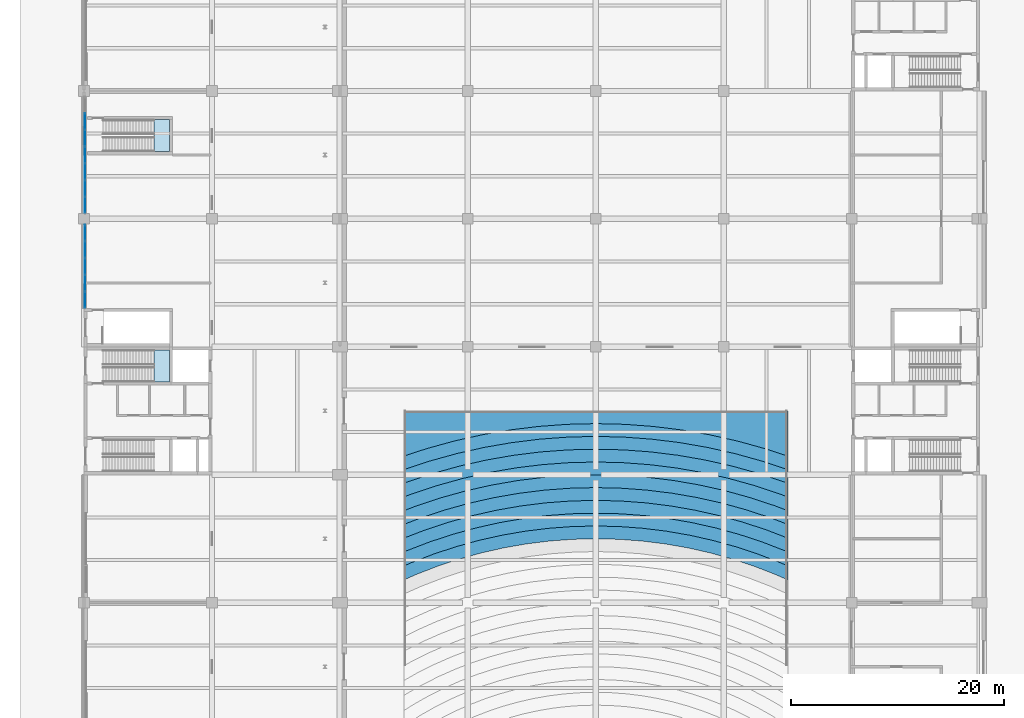
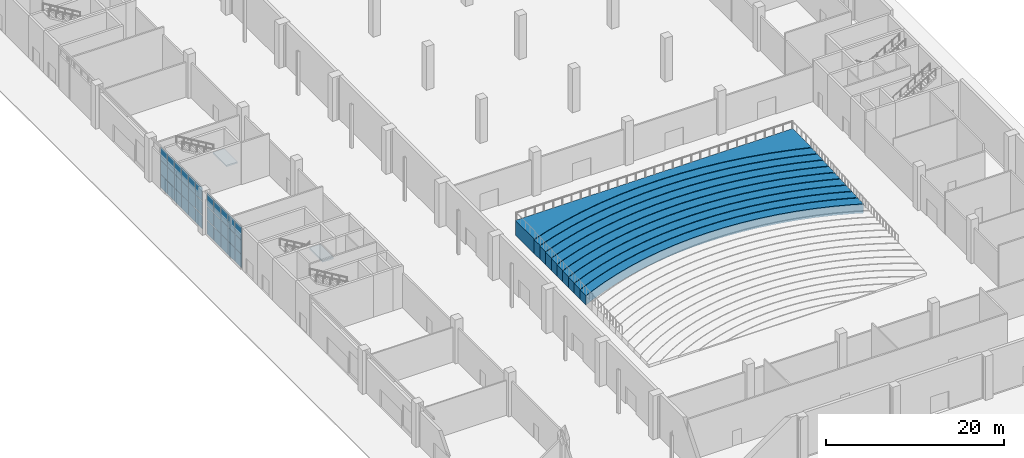
# One storey, part 27 of 59: 33 plates, 12 slabs, 4 elements without a shape of their own.
"""IFC4 building model written with IfcOpenShell, lengths in metres."""

import ifcopenshell
import ifcopenshell.guid

model = None  # the IFC model being written
_history = None  # IfcOwnerHistory: only IFC2X3 demands one
_inside = {}  # id of a spatial element -> (the spatial element, [elements in it])
_under = {}  # id of a project, library or spatial element -> (it, [spatial elements below it])
_declared = {}  # id of a project -> (the project, [libraries it declares])
_typed = {}  # id of a type object -> (the type object, [elements of that type])
_made_of = {}  # id of a material, layer set ... -> (it, [elements and type objects made of it])


def new_model(schema):
    """Start an empty IFC model of exactly this schema.

    Asked for "IFC4X3", IfcOpenShell would pick the latest addendum, in which some entities
    have other attributes; the version numbers below select the first issue.
    IFC2X3 requires an IfcOwnerHistory on every rooted entity: one is made here for all.
    """
    global model, _history
    if schema == "IFC4X3":
        model = ifcopenshell.file(schema_version=(4, 3, 0, 0))
    else:
        model = ifcopenshell.file(schema=schema)
    _inside.clear()
    _under.clear()
    _declared.clear()
    _typed.clear()
    _made_of.clear()
    _history = None
    if model.schema == "IFC2X3":
        org = make("IfcOrganization", Name="unknown")
        user = make(
            "IfcPersonAndOrganization",
            ThePerson=make("IfcPerson", FamilyName="unknown"),
            TheOrganization=org,
        )
        app = make(
            "IfcApplication",
            ApplicationDeveloper=org,
            Version="unknown",
            ApplicationFullName="unknown",
            ApplicationIdentifier="unknown",
        )
        _history = make(
            "IfcOwnerHistory",
            OwningUser=user,
            OwningApplication=app,
            ChangeAction="ADDED",
            CreationDate=0,
        )
    return model


def make(cls, **values):
    """One entity of the class cls with the attributes given. An attribute that is None is left unset."""
    return model.create_entity(
        cls, **{name: value for name, value in values.items() if value is not None}
    )


def rooted(cls, **values):
    """An entity with a GlobalId (a new one), such as an element, a storey or a relation."""
    return make(cls, GlobalId=ifcopenshell.guid.new(), OwnerHistory=_history, **values)


def si_unit(unit_type, name, prefix=None):
    """IfcSIUnit, for example si_unit("LENGTHUNIT", "METRE", prefix="MILLI")."""
    return make("IfcSIUnit", UnitType=unit_type, Prefix=prefix, Name=name)


def assignment(units):
    """IfcUnitAssignment: the units of a project."""
    return None if units is None else make("IfcUnitAssignment", Units=units)


def point(xyz):
    """IfcCartesianPoint."""
    return None if xyz is None else make("IfcCartesianPoint", Coordinates=xyz)


def direction(xyz):
    """IfcDirection."""
    return None if xyz is None else make("IfcDirection", DirectionRatios=xyz)


def frame(location, z_axis=None, x_axis=None):
    """IfcAxis2Placement3D, a coordinate frame: its origin and axes. An axis left out is left unset."""
    return make(
        "IfcAxis2Placement3D",
        Location=point(location),
        Axis=direction(z_axis),
        RefDirection=direction(x_axis),
    )


def frame_2d(location, x_axis=None):
    """IfcAxis2Placement2D, a coordinate frame in the plane: its origin and x axis."""
    return make(
        "IfcAxis2Placement2D", Location=point(location), RefDirection=direction(x_axis)
    )


def origin():
    """The frame at (0, 0, 0) with its axes left unset."""
    return frame((0.0, 0.0, 0.0))


def origin_2d():
    """The frame at (0, 0) in the plane with its x axis left unset."""
    return frame_2d((0.0, 0.0))


def place(relative_to, where):
    """IfcLocalPlacement: puts the frame where relative to a parent placement (None: the world)."""
    return make(
        "IfcLocalPlacement", PlacementRelTo=relative_to, RelativePlacement=where
    )


def context(
    kind, dimensions, precision=None, world=None, true_north=None, identifier=None
):
    """IfcGeometricRepresentationContext, for example the 3D "Model" context."""
    return make(
        "IfcGeometricRepresentationContext",
        ContextIdentifier=identifier,
        ContextType=kind,
        CoordinateSpaceDimension=dimensions,
        Precision=precision,
        WorldCoordinateSystem=world,
        TrueNorth=true_north,
    )


def subcontext(parent, identifier, kind, view, scale=None):
    """IfcGeometricRepresentationSubContext, for example "Body" below "Model"."""
    return make(
        "IfcGeometricRepresentationSubContext",
        ContextIdentifier=identifier,
        ContextType=kind,
        ParentContext=parent,
        TargetScale=scale,
        TargetView=view,
    )


def project(units=None, contexts=None):
    """IfcProject with its units and contexts."""
    return rooted(
        "IfcProject",
        Name="project",
        RepresentationContexts=contexts,
        UnitsInContext=assignment(units),
    )


def spatial(cls, under=None, at=None, **own):
    """A site, building, storey or space (cls), placed at a placement, below another one or the project."""
    s = rooted(cls, ObjectPlacement=at, **own)
    if under is not None:
        _under.setdefault(under.id(), (under, []))[1].append(s)
    return s


def polyline(points):
    """IfcPolyline through the points."""
    return make("IfcPolyline", Points=[point(p) for p in points])


def profile(cls, at=None, kind="AREA", **sizes):
    """A parametric profile (cls). Its sizes go by their IFC names, for example OverallWidth=200.0."""
    return make(cls, ProfileType=kind, Position=at, **sizes)


def rectangle(**sizes):
    """IfcRectangleProfileDef."""
    return profile("IfcRectangleProfileDef", **sizes)


def outline(outer, holes=None, kind="AREA"):
    """IfcArbitraryClosedProfileDef: a profile drawn as a closed curve; with holes, ...WithVoids."""
    if holes is None:
        return make("IfcArbitraryClosedProfileDef", ProfileType=kind, OuterCurve=outer)
    return make(
        "IfcArbitraryProfileDefWithVoids",
        ProfileType=kind,
        OuterCurve=outer,
        InnerCurves=holes,
    )


def extrude(swept, where, along, depth):
    """IfcExtrudedAreaSolid: the profile swept, set in the frame where, extruded along a direction by depth."""
    return make(
        "IfcExtrudedAreaSolid",
        SweptArea=swept,
        Position=where,
        ExtrudedDirection=direction(along),
        Depth=depth,
    )


def shape(context_of_items, identifier, shape_type, items):
    """IfcShapeRepresentation: the items that make up one representation, for example the "Body"."""
    return make(
        "IfcShapeRepresentation",
        ContextOfItems=context_of_items,
        RepresentationIdentifier=identifier,
        RepresentationType=shape_type,
        Items=items,
    )


def material(Name=None, Category=None):
    """IfcMaterial."""
    return make("IfcMaterial", Name=Name, Category=Category)


def layer(
    of_material, thickness, ventilated=None, Name=None, Category=None, Priority=None
):
    """IfcMaterialLayer: one layer of a wall or slab, of a material (None: an air gap)."""
    return make(
        "IfcMaterialLayer",
        Material=of_material,
        LayerThickness=thickness,
        IsVentilated=ventilated,
        Name=Name,
        Category=Category,
        Priority=Priority,
    )


def layer_set(layers, Name=None):
    """IfcMaterialLayerSet."""
    return make("IfcMaterialLayerSet", MaterialLayers=layers, LayerSetName=Name)


def made_of(thing, what):
    """Note that an element or type object is made of a material, layer set ...; save() writes the relation."""
    if what is not None:
        _made_of.setdefault(what.id(), (what, []))[1].append(thing)
    return thing


def type_object(cls, material=None, **own):
    """A type object (cls), such as IfcWallType, which elements share."""
    return made_of(rooted(cls, **own), material)


def element(
    cls,
    number,
    at=None,
    inside=None,
    cuts=None,
    type_object=None,
    material=None,
    context=None,
    identifier="Body",
    shape_type=None,
    held_by="IfcProductDefinitionShape",
    body=None,
    shapes=None,
    **own,
):
    """One element of the class cls, such as IfcWall. Its Tag is "e" and its number.

    at: its placement. inside: the storey or other place that contains it. cuts: it is an
    opening in that element (IfcRelVoidsElement). A single representation is given by context,
    identifier, shape_type and body (its items); several are given by shapes. held_by: the class
    of the entity that holds the representations. save() writes the other relations.
    """
    e = rooted(cls, Tag="e%d" % number, ObjectPlacement=at, **own)
    if body is not None:
        shapes = [shape(context, identifier, shape_type, body)]
    if shapes is not None:
        e.Representation = make(held_by, Representations=shapes)
    if inside is not None:
        _inside.setdefault(inside.id(), (inside, []))[1].append(e)
    if cuts is not None:
        rooted(
            "IfcRelVoidsElement", RelatingBuildingElement=cuts, RelatedOpeningElement=e
        )
    if type_object is not None:
        _typed.setdefault(type_object.id(), (type_object, []))[1].append(e)
    return made_of(e, material)


def aggregate(whole, parts):
    """IfcRelAggregates: a whole, such as a stair, and the parts it consists of."""
    return rooted("IfcRelAggregates", RelatingObject=whole, RelatedObjects=parts)


def save(model, path):
    """Write the relations noted so far, then the file.

    IfcRelAggregates (storeys below a building ...), IfcRelContainedInSpatialStructure (elements
    in a storey), IfcRelDefinesByType, IfcRelAssociatesMaterial and IfcRelDeclares: one each for
    every whole, place, type object, material and project.
    """
    for whole, parts in _under.values():
        aggregate(whole, parts)
    for where, things in _inside.values():
        rooted(
            "IfcRelContainedInSpatialStructure",
            RelatedElements=things,
            RelatingStructure=where,
        )
    for kind, things in _typed.values():
        rooted("IfcRelDefinesByType", RelatedObjects=things, RelatingType=kind)
    for what, things in _made_of.values():
        rooted("IfcRelAssociatesMaterial", RelatedObjects=things, RelatingMaterial=what)
    for by, libraries in _declared.values():
        rooted("IfcRelDeclares", RelatingContext=by, RelatedDefinitions=libraries)
    model.write(path)


model = new_model("IFC4")

# Units and contexts
model_context = context("Model", 3, precision=1e-05, world=origin(), true_north=direction((0.0, 1.0)))
body_context = subcontext(model_context, "Body", "Model", "MODEL_VIEW")
ifc_project = project(units=[si_unit("LENGTHUNIT", "METRE"), si_unit("AREAUNIT", "SQUARE_METRE"), si_unit("VOLUMEUNIT", "CUBIC_METRE"), si_unit("PLANEANGLEUNIT", "RADIAN"), si_unit("MASSUNIT", "GRAM", prefix="KILO")], contexts=[model_context])

# Site, building, storey
site_placement = place(None, origin())
site = spatial("IfcSite", under=ifc_project, at=site_placement, CompositionType="ELEMENT")
building_placement = place(site_placement, origin())
building = spatial("IfcBuilding", under=site, at=building_placement, Name="Lilac Gate Convention Centre", CompositionType="ELEMENT")
storey_placement = place(building_placement, origin())
storey = spatial("IfcBuildingStorey", under=building, at=storey_placement, Name="L00", CompositionType="ELEMENT", Elevation=0.0)

# Curtain wall, plates
ifc_material_1 = material(Name="Aluminium framed double glazing", Category="aluminium")
ifc_layer_1 = layer(ifc_material_1, 0.199951171875)
ifc_layer_set_1 = layer_set([ifc_layer_1], Name="Aluminium framed double glazing")
curtain_wall_type = type_object("IfcCurtainWallType", Name="Unitised curtain wall 1500", PredefinedType="NOTDEFINED", material=ifc_layer_set_1)
curtain_wall_1_placement = place(storey_placement, origin())
curtain_wall_1 = element("IfcCurtainWall", 1, at=curtain_wall_1_placement, inside=storey, type_object=curtain_wall_type, Name="Curtain wall PW L00 3", PredefinedType="NOTDEFINED")
ifc_material_2 = material(Name="Double glazed unit low emissivity")
ifc_layer_2 = layer(ifc_material_2, 0.028076171875)
ifc_layer_set_2 = layer_set([ifc_layer_2], Name="Double glazed unit low emissivity")
plate_type_1 = type_object("IfcPlateType", Name="Curtain wall glass panel 28", PredefinedType="CURTAIN_PANEL", material=ifc_layer_set_2)
plate_1_placement = place(storey_placement, frame((6.10009765625, 183.142822265625, 1.94677734375), z_axis=(0.0, 0.0, 1.0), x_axis=(0.0, -1.0, 0.0)))
plate_1 = element("IfcPlate", 2, at=plate_1_placement, type_object=plate_type_1, Name="CW panel 2.2", PredefinedType="CURTAIN_PANEL", context=body_context, shape_type="SweptSolid", body=[
    extrude(rectangle(XDim=1.511474609375, YDim=0.028076171875, at=origin_2d()), origin(), (0.0, 0.0, 1.0), 1.856689453125),
])
plate_2_placement = place(storey_placement, frame((6.10009765625, 183.142822265625, 3.86328125), z_axis=(0.0, 0.0, 1.0), x_axis=(0.0, -1.0, 0.0)))
plate_2 = element("IfcPlate", 3, at=plate_2_placement, type_object=plate_type_1, Name="CW panel 2.3", PredefinedType="CURTAIN_PANEL", context=body_context, shape_type="SweptSolid", body=[
    extrude(rectangle(XDim=1.511474609375, YDim=0.028076171875, at=origin_2d()), origin(), (0.0, 0.0, 1.0), 1.82666015625),
])
plate_3_placement = place(storey_placement, frame((6.10009765625, 181.571533203125, 1.94677734375), z_axis=(0.0, 0.0, 1.0), x_axis=(0.0, -1.0, 0.0)))
plate_3 = element("IfcPlate", 4, at=plate_3_placement, type_object=plate_type_1, Name="CW panel 3.2", PredefinedType="CURTAIN_PANEL", context=body_context, shape_type="SweptSolid", body=[
    extrude(rectangle(XDim=1.511474609375, YDim=0.028076171875, at=origin_2d()), origin(), (0.0, 0.0, 1.0), 1.856689453125),
])
plate_4_placement = place(storey_placement, frame((6.10009765625, 181.571533203125, 3.86328125), z_axis=(0.0, 0.0, 1.0), x_axis=(0.0, -1.0, 0.0)))
plate_4 = element("IfcPlate", 5, at=plate_4_placement, type_object=plate_type_1, Name="CW panel 3.3", PredefinedType="CURTAIN_PANEL", context=body_context, shape_type="SweptSolid", body=[
    extrude(rectangle(XDim=1.511474609375, YDim=0.028076171875, at=origin_2d()), origin(), (0.0, 0.0, 1.0), 1.82666015625),
])
plate_5_placement = place(storey_placement, frame((6.10009765625, 180.0, 1.94677734375), z_axis=(0.0, 0.0, 1.0), x_axis=(0.0, -1.0, 0.0)))
plate_5 = element("IfcPlate", 6, at=plate_5_placement, type_object=plate_type_1, Name="CW panel 4.2", PredefinedType="CURTAIN_PANEL", context=body_context, shape_type="SweptSolid", body=[
    extrude(rectangle(XDim=1.511474609375, YDim=0.028076171875, at=origin_2d()), origin(), (0.0, 0.0, 1.0), 1.856689453125),
])
plate_6_placement = place(storey_placement, frame((6.10009765625, 180.0, 3.86328125), z_axis=(0.0, 0.0, 1.0), x_axis=(0.0, -1.0, 0.0)))
plate_6 = element("IfcPlate", 7, at=plate_6_placement, type_object=plate_type_1, Name="CW panel 4.3", PredefinedType="CURTAIN_PANEL", context=body_context, shape_type="SweptSolid", body=[
    extrude(rectangle(XDim=1.511474609375, YDim=0.028076171875, at=origin_2d()), origin(), (0.0, 0.0, 1.0), 1.82666015625),
])
plate_7_placement = place(storey_placement, frame((6.10009765625, 178.428466796875, 1.94677734375), z_axis=(0.0, 0.0, 1.0), x_axis=(0.0, -1.0, 0.0)))
plate_7 = element("IfcPlate", 8, at=plate_7_placement, type_object=plate_type_1, Name="CW panel 5.2", PredefinedType="CURTAIN_PANEL", context=body_context, shape_type="SweptSolid", body=[
    extrude(rectangle(XDim=1.511474609375, YDim=0.028076171875, at=origin_2d()), origin(), (0.0, 0.0, 1.0), 1.856689453125),
])
plate_8_placement = place(storey_placement, frame((6.10009765625, 178.428466796875, 3.86328125), z_axis=(0.0, 0.0, 1.0), x_axis=(0.0, -1.0, 0.0)))
plate_8 = element("IfcPlate", 9, at=plate_8_placement, type_object=plate_type_1, Name="CW panel 5.3", PredefinedType="CURTAIN_PANEL", context=body_context, shape_type="SweptSolid", body=[
    extrude(rectangle(XDim=1.511474609375, YDim=0.028076171875, at=origin_2d()), origin(), (0.0, 0.0, 1.0), 1.82666015625),
])
plate_9_placement = place(storey_placement, frame((6.10009765625, 176.857177734375, 1.94677734375), z_axis=(0.0, 0.0, 1.0), x_axis=(0.0, -1.0, 0.0)))
plate_9 = element("IfcPlate", 10, at=plate_9_placement, type_object=plate_type_1, Name="CW panel 6.2", PredefinedType="CURTAIN_PANEL", context=body_context, shape_type="SweptSolid", body=[
    extrude(rectangle(XDim=1.511474609375, YDim=0.028076171875, at=origin_2d()), origin(), (0.0, 0.0, 1.0), 1.856689453125),
])
plate_10_placement = place(storey_placement, frame((6.10009765625, 176.857177734375, 3.86328125), z_axis=(0.0, 0.0, 1.0), x_axis=(0.0, -1.0, 0.0)))
plate_10 = element("IfcPlate", 11, at=plate_10_placement, type_object=plate_type_1, Name="CW panel 6.3", PredefinedType="CURTAIN_PANEL", context=body_context, shape_type="SweptSolid", body=[
    extrude(rectangle(XDim=1.511474609375, YDim=0.028076171875, at=origin_2d()), origin(), (0.0, 0.0, 1.0), 1.82666015625),
])
plate_11_placement = place(storey_placement, frame((6.10009765625, 175.30078125, 1.94677734375), z_axis=(0.0, 0.0, 1.0), x_axis=(0.0, -1.0, 0.0)))
plate_11 = element("IfcPlate", 12, at=plate_11_placement, type_object=plate_type_1, Name="CW panel 7.2", PredefinedType="CURTAIN_PANEL", context=body_context, shape_type="SweptSolid", body=[
    extrude(rectangle(XDim=1.4814453125, YDim=0.028076171875, at=origin_2d()), origin(), (0.0, 0.0, 1.0), 1.856689453125),
])
plate_12_placement = place(storey_placement, frame((6.10009765625, 175.30078125, 3.86328125), z_axis=(0.0, 0.0, 1.0), x_axis=(0.0, -1.0, 0.0)))
plate_12 = element("IfcPlate", 13, at=plate_12_placement, type_object=plate_type_1, Name="CW panel 7.3", PredefinedType="CURTAIN_PANEL", context=body_context, shape_type="SweptSolid", body=[
    extrude(rectangle(XDim=1.4814453125, YDim=0.028076171875, at=origin_2d()), origin(), (0.0, 0.0, 1.0), 1.82666015625),
])

curtain_wall_2_placement = place(storey_placement, origin())
curtain_wall_2 = element("IfcCurtainWall", 14, at=curtain_wall_2_placement, inside=storey, type_object=curtain_wall_type, Name="Curtain wall PW L00 4", PredefinedType="NOTDEFINED")
plate_13_placement = place(storey_placement, frame((6.10009765625, 172.695068359375, 1.94677734375), z_axis=(0.0, 0.0, 1.0), x_axis=(0.0, -1.0, 0.0)))
plate_13 = element("IfcPlate", 15, at=plate_13_placement, type_object=plate_type_1, Name="CW panel 1.2", PredefinedType="CURTAIN_PANEL", context=body_context, shape_type="SweptSolid", body=[
    extrude(rectangle(XDim=1.489990234375, YDim=0.028076171875, at=origin_2d()), origin(), (0.0, 0.0, 1.0), 1.856689453125),
])
plate_14_placement = place(storey_placement, frame((6.10009765625, 172.695068359375, 3.86328125), z_axis=(0.0, 0.0, 1.0), x_axis=(0.0, -1.0, 0.0)))
plate_14 = element("IfcPlate", 16, at=plate_14_placement, type_object=plate_type_1, Name="CW panel 1.3", PredefinedType="CURTAIN_PANEL", context=body_context, shape_type="SweptSolid", body=[
    extrude(rectangle(XDim=1.489990234375, YDim=0.028076171875, at=origin_2d()), origin(), (0.0, 0.0, 1.0), 1.82666015625),
])
plate_15_placement = place(storey_placement, frame((6.10009765625, 171.130126953125, 1.94677734375), z_axis=(0.0, 0.0, 1.0), x_axis=(0.0, -1.0, 0.0)))
plate_15 = element("IfcPlate", 17, at=plate_15_placement, type_object=plate_type_1, Name="CW panel 2.2", PredefinedType="CURTAIN_PANEL", context=body_context, shape_type="SweptSolid", body=[
    extrude(rectangle(XDim=1.52001953125, YDim=0.028076171875, at=origin_2d()), origin(), (0.0, 0.0, 1.0), 1.856689453125),
])
plate_16_placement = place(storey_placement, frame((6.10009765625, 171.130126953125, 3.86328125), z_axis=(0.0, 0.0, 1.0), x_axis=(0.0, -1.0, 0.0)))
plate_16 = element("IfcPlate", 18, at=plate_16_placement, type_object=plate_type_1, Name="CW panel 2.3", PredefinedType="CURTAIN_PANEL", context=body_context, shape_type="SweptSolid", body=[
    extrude(rectangle(XDim=1.52001953125, YDim=0.028076171875, at=origin_2d()), origin(), (0.0, 0.0, 1.0), 1.82666015625),
])
plate_17_placement = place(storey_placement, frame((6.10009765625, 169.550048828125, 1.94677734375), z_axis=(0.0, 0.0, 1.0), x_axis=(0.0, -1.0, 0.0)))
plate_17 = element("IfcPlate", 19, at=plate_17_placement, type_object=plate_type_1, Name="CW panel 3.2", PredefinedType="CURTAIN_PANEL", context=body_context, shape_type="SweptSolid", body=[
    extrude(rectangle(XDim=1.52001953125, YDim=0.028076171875, at=origin_2d()), origin(), (0.0, 0.0, 1.0), 1.856689453125),
])
plate_18_placement = place(storey_placement, frame((6.10009765625, 169.550048828125, 3.86328125), z_axis=(0.0, 0.0, 1.0), x_axis=(0.0, -1.0, 0.0)))
plate_18 = element("IfcPlate", 20, at=plate_18_placement, type_object=plate_type_1, Name="CW panel 3.3", PredefinedType="CURTAIN_PANEL", context=body_context, shape_type="SweptSolid", body=[
    extrude(rectangle(XDim=1.52001953125, YDim=0.028076171875, at=origin_2d()), origin(), (0.0, 0.0, 1.0), 1.82666015625),
])
plate_19_placement = place(storey_placement, frame((6.10009765625, 167.969970703125, 1.94677734375), z_axis=(0.0, 0.0, 1.0), x_axis=(0.0, -1.0, 0.0)))
plate_19 = element("IfcPlate", 21, at=plate_19_placement, type_object=plate_type_1, Name="CW panel 4.2", PredefinedType="CURTAIN_PANEL", context=body_context, shape_type="SweptSolid", body=[
    extrude(rectangle(XDim=1.52001953125, YDim=0.028076171875, at=origin_2d()), origin(), (0.0, 0.0, 1.0), 1.856689453125),
])
plate_20_placement = place(storey_placement, frame((6.10009765625, 167.969970703125, 3.86328125), z_axis=(0.0, 0.0, 1.0), x_axis=(0.0, -1.0, 0.0)))
plate_20 = element("IfcPlate", 22, at=plate_20_placement, type_object=plate_type_1, Name="CW panel 4.3", PredefinedType="CURTAIN_PANEL", context=body_context, shape_type="SweptSolid", body=[
    extrude(rectangle(XDim=1.52001953125, YDim=0.028076171875, at=origin_2d()), origin(), (0.0, 0.0, 1.0), 1.82666015625),
])
plate_21_placement = place(storey_placement, frame((6.10009765625, 166.405029296875, 1.94677734375), z_axis=(0.0, 0.0, 1.0), x_axis=(0.0, -1.0, 0.0)))
plate_21 = element("IfcPlate", 23, at=plate_21_placement, type_object=plate_type_1, Name="CW panel 5.2", PredefinedType="CURTAIN_PANEL", context=body_context, shape_type="SweptSolid", body=[
    extrude(rectangle(XDim=1.489990234375, YDim=0.028076171875, at=origin_2d()), origin(), (0.0, 0.0, 1.0), 1.856689453125),
])
plate_22_placement = place(storey_placement, frame((6.10009765625, 166.405029296875, 3.86328125), z_axis=(0.0, 0.0, 1.0), x_axis=(0.0, -1.0, 0.0)))
plate_22 = element("IfcPlate", 24, at=plate_22_placement, type_object=plate_type_1, Name="CW panel 5.3", PredefinedType="CURTAIN_PANEL", context=body_context, shape_type="SweptSolid", body=[
    extrude(rectangle(XDim=1.489990234375, YDim=0.028076171875, at=origin_2d()), origin(), (0.0, 0.0, 1.0), 1.82666015625),
])

# Plate
ifc_material_3 = material(Name="Insulated aluminium spandrel panel", Category="aluminium")
ifc_layer_3 = layer(ifc_material_3, 0.028076171875)
ifc_layer_set_3 = layer_set([ifc_layer_3], Name="Insulated aluminium spandrel panel")
plate_type_2 = type_object("IfcPlateType", Name="Curtain wall spandrel panel 28", PredefinedType="CURTAIN_PANEL", material=ifc_layer_set_3)
plate_23_placement = place(storey_placement, frame((6.10009765625, 183.142822265625, 0.06005859375), z_axis=(0.0, 0.0, 1.0), x_axis=(0.0, -1.0, 0.0)))
plate_23 = element("IfcPlate", 25, at=plate_23_placement, type_object=plate_type_2, Name="CW spandrel 2.1", PredefinedType="CURTAIN_PANEL", context=body_context, shape_type="SweptSolid", body=[
    extrude(rectangle(XDim=1.511474609375, YDim=0.028076171875, at=origin_2d()), origin(), (0.0, 0.0, 1.0), 1.82666015625),
])

plate_24_placement = place(storey_placement, frame((6.10009765625, 181.571533203125, 0.06005859375), z_axis=(0.0, 0.0, 1.0), x_axis=(0.0, -1.0, 0.0)))
plate_24 = element("IfcPlate", 26, at=plate_24_placement, type_object=plate_type_2, Name="CW spandrel 3.1", PredefinedType="CURTAIN_PANEL", context=body_context, shape_type="SweptSolid", body=[
    extrude(rectangle(XDim=1.511474609375, YDim=0.028076171875, at=origin_2d()), origin(), (0.0, 0.0, 1.0), 1.82666015625),
])

plate_25_placement = place(storey_placement, frame((6.10009765625, 180.0, 0.06005859375), z_axis=(0.0, 0.0, 1.0), x_axis=(0.0, -1.0, 0.0)))
plate_25 = element("IfcPlate", 27, at=plate_25_placement, type_object=plate_type_2, Name="CW spandrel 4.1", PredefinedType="CURTAIN_PANEL", context=body_context, shape_type="SweptSolid", body=[
    extrude(rectangle(XDim=1.511474609375, YDim=0.028076171875, at=origin_2d()), origin(), (0.0, 0.0, 1.0), 1.82666015625),
])

plate_26_placement = place(storey_placement, frame((6.10009765625, 178.428466796875, 0.06005859375), z_axis=(0.0, 0.0, 1.0), x_axis=(0.0, -1.0, 0.0)))
plate_26 = element("IfcPlate", 28, at=plate_26_placement, type_object=plate_type_2, Name="CW spandrel 5.1", PredefinedType="CURTAIN_PANEL", context=body_context, shape_type="SweptSolid", body=[
    extrude(rectangle(XDim=1.511474609375, YDim=0.028076171875, at=origin_2d()), origin(), (0.0, 0.0, 1.0), 1.82666015625),
])

plate_27_placement = place(storey_placement, frame((6.10009765625, 176.857177734375, 0.06005859375), z_axis=(0.0, 0.0, 1.0), x_axis=(0.0, -1.0, 0.0)))
plate_27 = element("IfcPlate", 29, at=plate_27_placement, type_object=plate_type_2, Name="CW spandrel 6.1", PredefinedType="CURTAIN_PANEL", context=body_context, shape_type="SweptSolid", body=[
    extrude(rectangle(XDim=1.511474609375, YDim=0.028076171875, at=origin_2d()), origin(), (0.0, 0.0, 1.0), 1.82666015625),
])

plate_28_placement = place(storey_placement, frame((6.10009765625, 175.30078125, 0.06005859375), z_axis=(0.0, 0.0, 1.0), x_axis=(0.0, -1.0, 0.0)))
plate_28 = element("IfcPlate", 30, at=plate_28_placement, type_object=plate_type_2, Name="CW spandrel 7.1", PredefinedType="CURTAIN_PANEL", context=body_context, shape_type="SweptSolid", body=[
    extrude(rectangle(XDim=1.4814453125, YDim=0.028076171875, at=origin_2d()), origin(), (0.0, 0.0, 1.0), 1.82666015625),
])

aggregate(curtain_wall_1, [plate_23, plate_1, plate_2, plate_24, plate_3, plate_4, plate_25, plate_5, plate_6, plate_26, plate_7, plate_8, plate_27, plate_9, plate_10, plate_28, plate_11, plate_12])

plate_29_placement = place(storey_placement, frame((6.10009765625, 172.695068359375, 0.06005859375), z_axis=(0.0, 0.0, 1.0), x_axis=(0.0, -1.0, 0.0)))
plate_29 = element("IfcPlate", 31, at=plate_29_placement, type_object=plate_type_2, Name="CW spandrel 1.1", PredefinedType="CURTAIN_PANEL", context=body_context, shape_type="SweptSolid", body=[
    extrude(rectangle(XDim=1.489990234375, YDim=0.028076171875, at=origin_2d()), origin(), (0.0, 0.0, 1.0), 1.82666015625),
])

plate_30_placement = place(storey_placement, frame((6.10009765625, 171.130126953125, 0.06005859375), z_axis=(0.0, 0.0, 1.0), x_axis=(0.0, -1.0, 0.0)))
plate_30 = element("IfcPlate", 32, at=plate_30_placement, type_object=plate_type_2, Name="CW spandrel 2.1", PredefinedType="CURTAIN_PANEL", context=body_context, shape_type="SweptSolid", body=[
    extrude(rectangle(XDim=1.52001953125, YDim=0.028076171875, at=origin_2d()), origin(), (0.0, 0.0, 1.0), 1.82666015625),
])

plate_31_placement = place(storey_placement, frame((6.10009765625, 169.550048828125, 0.06005859375), z_axis=(0.0, 0.0, 1.0), x_axis=(0.0, -1.0, 0.0)))
plate_31 = element("IfcPlate", 33, at=plate_31_placement, type_object=plate_type_2, Name="CW spandrel 3.1", PredefinedType="CURTAIN_PANEL", context=body_context, shape_type="SweptSolid", body=[
    extrude(rectangle(XDim=1.52001953125, YDim=0.028076171875, at=origin_2d()), origin(), (0.0, 0.0, 1.0), 1.82666015625),
])

plate_32_placement = place(storey_placement, frame((6.10009765625, 167.969970703125, 0.06005859375), z_axis=(0.0, 0.0, 1.0), x_axis=(0.0, -1.0, 0.0)))
plate_32 = element("IfcPlate", 34, at=plate_32_placement, type_object=plate_type_2, Name="CW spandrel 4.1", PredefinedType="CURTAIN_PANEL", context=body_context, shape_type="SweptSolid", body=[
    extrude(rectangle(XDim=1.52001953125, YDim=0.028076171875, at=origin_2d()), origin(), (0.0, 0.0, 1.0), 1.82666015625),
])

plate_33_placement = place(storey_placement, frame((6.10009765625, 166.405029296875, 0.06005859375), z_axis=(0.0, 0.0, 1.0), x_axis=(0.0, -1.0, 0.0)))
plate_33 = element("IfcPlate", 35, at=plate_33_placement, type_object=plate_type_2, Name="CW spandrel 5.1", PredefinedType="CURTAIN_PANEL", context=body_context, shape_type="SweptSolid", body=[
    extrude(rectangle(XDim=1.489990234375, YDim=0.028076171875, at=origin_2d()), origin(), (0.0, 0.0, 1.0), 1.82666015625),
])

aggregate(curtain_wall_2, [plate_29, plate_13, plate_14, plate_30, plate_15, plate_16, plate_31, plate_17, plate_18, plate_32, plate_19, plate_20, plate_33, plate_21, plate_22])

# Slabs
ifc_material_4 = material(Name="Concrete C40", Category="concrete")
ifc_layer_4 = layer(ifc_material_4, 0.300048828125)
ifc_layer_set_4 = layer_set([ifc_layer_4], Name="Concrete C40")
slab_type_1 = type_object("IfcSlabType", Name="Seating tier 300 C40", PredefinedType="USERDEFINED", material=ifc_layer_set_4)
slab_1_placement = place(storey_placement, origin())
element("IfcSlab", 36, at=slab_1_placement, inside=storey, type_object=slab_type_1, Name="TS1 Stand Stalls row 16", ObjectType="SEATING TIER", PredefinedType="USERDEFINED", context=body_context, shape_type="SweptSolid", body=[
    extrude(outline(polyline([(36.702880859375, 141.759033203125), (38.77294921875, 142.55810546875), (40.87890625, 143.25390625), (43.01708984375, 143.844970703125), (45.181884765625, 144.3310546875), (47.367919921875, 144.7109375), (49.570068359375, 144.98193359375), (51.781982421875, 145.14599609375), (54.0, 145.199951171875), (56.218017578125, 145.14599609375), (58.429931640625, 144.98193359375), (60.632080078125, 144.7109375), (62.818115234375, 144.3310546875), (64.98291015625, 143.844970703125), (67.12109375, 143.25390625), (69.22705078125, 142.55810546875), (71.297119140625, 141.759033203125), (72.0, 141.447998046875), (72.0, 140.135986328125), (70.837890625, 140.65087890625), (68.822998046875, 141.427978515625), (66.77294921875, 142.10498046875), (64.69091796875, 142.680908203125), (62.583984375, 143.155029296875), (60.4560546875, 143.52392578125), (58.31298828125, 143.7880859375), (56.158935546875, 143.947021484375), (54.0, 144.0), (51.841064453125, 143.947021484375), (49.68701171875, 143.7880859375), (47.5439453125, 143.52392578125), (45.416015625, 143.155029296875), (43.30908203125, 142.680908203125), (41.22705078125, 142.10498046875), (39.177001953125, 141.427978515625), (37.162109375, 140.65087890625), (36.0, 140.135986328125), (36.0, 141.447998046875), (36.702880859375, 141.759033203125)])), origin(), (0.0, 0.0, 1.0), 1.280029296875),
])
slab_2_placement = place(storey_placement, origin())
element("IfcSlab", 37, at=slab_2_placement, inside=storey, type_object=slab_type_1, Name="TS1 Stand Stalls row 17", ObjectType="SEATING TIER", PredefinedType="USERDEFINED", context=body_context, shape_type="SweptSolid", body=[
    extrude(outline(polyline([(36.242919921875, 142.867919921875), (38.367919921875, 143.68798828125), (40.531005859375, 144.402099609375), (42.72607421875, 145.009033203125), (44.947998046875, 145.508056640625), (47.19189453125, 145.89794921875), (49.451904296875, 146.177001953125), (51.722900390625, 146.343994140625), (54.0, 146.39990234375), (56.277099609375, 146.343994140625), (58.548095703125, 146.177001953125), (60.80810546875, 145.89794921875), (63.052001953125, 145.508056640625), (65.27392578125, 145.009033203125), (67.468994140625, 144.402099609375), (69.632080078125, 143.68798828125), (71.757080078125, 142.867919921875), (72.0, 142.760009765625), (72.0, 141.447998046875), (71.297119140625, 141.759033203125), (69.22705078125, 142.55810546875), (67.12109375, 143.25390625), (64.98291015625, 143.844970703125), (62.818115234375, 144.3310546875), (60.632080078125, 144.7109375), (58.429931640625, 144.98193359375), (56.218017578125, 145.14599609375), (54.0, 145.199951171875), (51.781982421875, 145.14599609375), (49.570068359375, 144.98193359375), (47.367919921875, 144.7109375), (45.181884765625, 144.3310546875), (43.01708984375, 143.844970703125), (40.87890625, 143.25390625), (38.77294921875, 142.55810546875), (36.702880859375, 141.759033203125), (36.0, 141.447998046875), (36.0, 142.760009765625), (36.242919921875, 142.867919921875)])), origin(), (0.0, 0.0, 1.0), 1.360107421875),
])
slab_3_placement = place(storey_placement, origin())
element("IfcSlab", 38, at=slab_3_placement, inside=storey, type_object=slab_type_1, Name="TS1 Stand Stalls row 18", ObjectType="SEATING TIER", PredefinedType="USERDEFINED", context=body_context, shape_type="SweptSolid", body=[
    extrude(outline(polyline([(37.964111328125, 144.81689453125), (40.181884765625, 145.550048828125), (42.43408203125, 146.173095703125), (44.714111328125, 146.68505859375), (47.01611328125, 147.0849609375), (49.333984375, 147.37109375), (51.6640625, 147.54296875), (54.0, 147.60009765625), (56.3359375, 147.54296875), (58.666015625, 147.37109375), (60.98388671875, 147.0849609375), (63.285888671875, 146.68505859375), (65.56591796875, 146.173095703125), (67.818115234375, 145.550048828125), (70.035888671875, 144.81689453125), (72.0, 144.06005859375), (72.0, 142.760009765625), (71.757080078125, 142.867919921875), (69.632080078125, 143.68798828125), (67.468994140625, 144.402099609375), (65.27392578125, 145.009033203125), (63.052001953125, 145.508056640625), (60.80810546875, 145.89794921875), (58.548095703125, 146.177001953125), (56.277099609375, 146.343994140625), (54.0, 146.39990234375), (51.722900390625, 146.343994140625), (49.451904296875, 146.177001953125), (47.19189453125, 145.89794921875), (44.947998046875, 145.508056640625), (42.72607421875, 145.009033203125), (40.531005859375, 144.402099609375), (38.367919921875, 143.68798828125), (36.242919921875, 142.867919921875), (36.0, 142.760009765625), (36.0, 144.06005859375), (37.964111328125, 144.81689453125)])), origin(), (0.0, 0.0, 1.0), 1.43994140625),
])
slab_4_placement = place(storey_placement, origin())
element("IfcSlab", 39, at=slab_4_placement, inside=storey, type_object=slab_type_1, Name="TS1 Stand Stalls row 19", ObjectType="SEATING TIER", PredefinedType="USERDEFINED", context=body_context, shape_type="SweptSolid", body=[
    extrude(outline(polyline([(37.56005859375, 145.947021484375), (39.833984375, 146.698974609375), (42.14306640625, 147.337890625), (44.47998046875, 147.862060546875), (46.840087890625, 148.27197265625), (49.217041015625, 148.56494140625), (51.60498046875, 148.740966796875), (54.0, 148.800048828125), (56.39501953125, 148.740966796875), (58.782958984375, 148.56494140625), (61.159912109375, 148.27197265625), (63.52001953125, 147.862060546875), (65.85693359375, 147.337890625), (68.166015625, 146.698974609375), (70.43994140625, 145.947021484375), (72.0, 145.345947265625), (72.0, 144.06005859375), (70.035888671875, 144.81689453125), (67.818115234375, 145.550048828125), (65.56591796875, 146.173095703125), (63.285888671875, 146.68505859375), (60.98388671875, 147.0849609375), (58.666015625, 147.37109375), (56.3359375, 147.54296875), (54.0, 147.60009765625), (51.6640625, 147.54296875), (49.333984375, 147.37109375), (47.01611328125, 147.0849609375), (44.714111328125, 146.68505859375), (42.43408203125, 146.173095703125), (40.181884765625, 145.550048828125), (37.964111328125, 144.81689453125), (36.0, 144.06005859375), (36.0, 145.345947265625), (37.56005859375, 145.947021484375)])), origin(), (0.0, 0.0, 1.0), 1.52001953125),
])
slab_5_placement = place(storey_placement, origin())
element("IfcSlab", 40, at=slab_5_placement, inside=storey, type_object=slab_type_1, Name="TS1 Stand Stalls row 20", ObjectType="SEATING TIER", PredefinedType="USERDEFINED", context=body_context, shape_type="SweptSolid", body=[
    extrude(outline(polyline([(37.156005859375, 147.076904296875), (39.486083984375, 147.846923828125), (41.85107421875, 148.501953125), (44.2451171875, 149.0390625), (46.6630859375, 149.458984375), (49.09912109375, 149.759033203125), (51.547119140625, 149.93994140625), (54.0, 150.0), (56.452880859375, 149.93994140625), (58.90087890625, 149.759033203125), (61.3369140625, 149.458984375), (63.7548828125, 149.0390625), (66.14892578125, 148.501953125), (68.513916015625, 147.846923828125), (70.843994140625, 147.076904296875), (72.0, 146.631103515625), (72.0, 145.345947265625), (70.43994140625, 145.947021484375), (68.166015625, 146.698974609375), (65.85693359375, 147.337890625), (63.52001953125, 147.862060546875), (61.159912109375, 148.27197265625), (58.782958984375, 148.56494140625), (56.39501953125, 148.740966796875), (54.0, 148.800048828125), (51.60498046875, 148.740966796875), (49.217041015625, 148.56494140625), (46.840087890625, 148.27197265625), (44.47998046875, 147.862060546875), (42.14306640625, 147.337890625), (39.833984375, 146.698974609375), (37.56005859375, 145.947021484375), (36.0, 145.345947265625), (36.0, 146.631103515625), (37.156005859375, 147.076904296875)])), origin(), (0.0, 0.0, 1.0), 1.60009765625),
])
slab_6_placement = place(storey_placement, origin())
element("IfcSlab", 41, at=slab_6_placement, inside=storey, type_object=slab_type_1, Name="TS1 Stand Stalls row 21", ObjectType="SEATING TIER", PredefinedType="USERDEFINED", context=body_context, shape_type="SweptSolid", body=[
    extrude(outline(polyline([(36.7509765625, 148.20703125), (39.136962890625, 148.9951171875), (41.55908203125, 149.666015625), (44.010986328125, 150.216064453125), (46.487060546875, 150.64599609375), (48.98193359375, 150.952880859375), (51.488037109375, 151.137939453125), (54.0, 151.199951171875), (56.511962890625, 151.137939453125), (59.01806640625, 150.952880859375), (61.512939453125, 150.64599609375), (63.989013671875, 150.216064453125), (66.44091796875, 149.666015625), (68.863037109375, 148.9951171875), (71.2490234375, 148.20703125), (72.0, 147.9169921875), (72.0, 146.631103515625), (70.843994140625, 147.076904296875), (68.513916015625, 147.846923828125), (66.14892578125, 148.501953125), (63.7548828125, 149.0390625), (61.3369140625, 149.458984375), (58.90087890625, 149.759033203125), (56.452880859375, 149.93994140625), (54.0, 150.0), (51.547119140625, 149.93994140625), (49.09912109375, 149.759033203125), (46.6630859375, 149.458984375), (44.2451171875, 149.0390625), (41.85107421875, 148.501953125), (39.486083984375, 147.846923828125), (37.156005859375, 147.076904296875), (36.0, 146.631103515625), (36.0, 147.9169921875), (36.7509765625, 148.20703125)])), origin(), (0.0, 0.0, 1.0), 1.679931640625),
])
slab_7_placement = place(storey_placement, origin())
element("IfcSlab", 42, at=slab_7_placement, inside=storey, type_object=slab_type_1, Name="TS1 Stand Stalls row 22", ObjectType="SEATING TIER", PredefinedType="USERDEFINED", context=body_context, shape_type="SweptSolid", body=[
    extrude(outline(polyline([(36.346923828125, 149.3369140625), (38.7890625, 150.14404296875), (41.26806640625, 150.830078125), (43.777099609375, 151.39306640625), (46.31103515625, 151.8330078125), (48.864013671875, 152.14794921875), (51.428955078125, 152.3369140625), (54.0, 152.39990234375), (56.571044921875, 152.3369140625), (59.135986328125, 152.14794921875), (61.68896484375, 151.8330078125), (64.222900390625, 151.39306640625), (66.73193359375, 150.830078125), (69.2109375, 150.14404296875), (71.653076171875, 149.3369140625), (72.0, 149.202880859375), (72.0, 147.9169921875), (71.2490234375, 148.20703125), (68.863037109375, 148.9951171875), (66.44091796875, 149.666015625), (63.989013671875, 150.216064453125), (61.512939453125, 150.64599609375), (59.01806640625, 150.952880859375), (56.511962890625, 151.137939453125), (54.0, 151.199951171875), (51.488037109375, 151.137939453125), (48.98193359375, 150.952880859375), (46.487060546875, 150.64599609375), (44.010986328125, 150.216064453125), (41.55908203125, 149.666015625), (39.136962890625, 148.9951171875), (36.7509765625, 148.20703125), (36.0, 147.9169921875), (36.0, 149.202880859375), (36.346923828125, 149.3369140625)])), origin(), (0.0, 0.0, 1.0), 1.760009765625),
])
slab_8_placement = place(storey_placement, origin())
element("IfcSlab", 43, at=slab_8_placement, inside=storey, type_object=slab_type_1, Name="TS1 Stand Stalls row 23", ObjectType="SEATING TIER", PredefinedType="USERDEFINED", context=body_context, shape_type="SweptSolid", body=[
    extrude(outline(polyline([(38.44091796875, 151.2919921875), (40.97607421875, 151.993896484375), (43.54296875, 152.570068359375), (46.135009765625, 153.02001953125), (48.74609375, 153.342041015625), (51.3701171875, 153.534912109375), (54.0, 153.60009765625), (56.6298828125, 153.534912109375), (59.25390625, 153.342041015625), (61.864990234375, 153.02001953125), (64.45703125, 152.570068359375), (67.02392578125, 151.993896484375), (69.55908203125, 151.2919921875), (72.0, 150.486083984375), (72.0, 149.202880859375), (71.653076171875, 149.3369140625), (69.2109375, 150.14404296875), (66.73193359375, 150.830078125), (64.222900390625, 151.39306640625), (61.68896484375, 151.8330078125), (59.135986328125, 152.14794921875), (56.571044921875, 152.3369140625), (54.0, 152.39990234375), (51.428955078125, 152.3369140625), (48.864013671875, 152.14794921875), (46.31103515625, 151.8330078125), (43.777099609375, 151.39306640625), (41.26806640625, 150.830078125), (38.7890625, 150.14404296875), (36.346923828125, 149.3369140625), (36.0, 149.202880859375), (36.0, 150.486083984375), (38.44091796875, 151.2919921875)])), origin(), (0.0, 0.0, 1.0), 1.840087890625),
])
slab_9_placement = place(storey_placement, origin())
element("IfcSlab", 44, at=slab_9_placement, inside=storey, type_object=slab_type_1, Name="TS1 Stand Stalls row 24", ObjectType="SEATING TIER", PredefinedType="USERDEFINED", context=body_context, shape_type="SweptSolid", body=[
    extrude(outline(polyline([(38.092041015625, 152.43994140625), (40.68505859375, 153.157958984375), (43.30908203125, 153.7470703125), (45.958984375, 154.20703125), (48.62890625, 154.535888671875), (51.31103515625, 154.73388671875), (54.0, 154.800048828125), (56.68896484375, 154.73388671875), (59.37109375, 154.535888671875), (62.041015625, 154.20703125), (64.69091796875, 153.7470703125), (67.31494140625, 153.157958984375), (69.907958984375, 152.43994140625), (72.0, 151.7490234375), (72.0, 150.486083984375), (69.55908203125, 151.2919921875), (67.02392578125, 151.993896484375), (64.45703125, 152.570068359375), (61.864990234375, 153.02001953125), (59.25390625, 153.342041015625), (56.6298828125, 153.534912109375), (54.0, 153.60009765625), (51.3701171875, 153.534912109375), (48.74609375, 153.342041015625), (46.135009765625, 153.02001953125), (43.54296875, 152.570068359375), (40.97607421875, 151.993896484375), (38.44091796875, 151.2919921875), (36.0, 150.486083984375), (36.0, 151.7490234375), (38.092041015625, 152.43994140625)])), origin(), (0.0, 0.0, 1.0), 1.919921875),
])
slab_10_placement = place(storey_placement, origin())
element("IfcSlab", 45, at=slab_10_placement, inside=storey, type_object=slab_type_1, Name="TS1 Stand Stalls row 25", ObjectType="SEATING TIER", PredefinedType="USERDEFINED", context=body_context, shape_type="SweptSolid", body=[
    extrude(outline(polyline([(69.907958984375, 152.43994140625), (67.31494140625, 153.157958984375), (64.69091796875, 153.7470703125), (62.041015625, 154.20703125), (59.37109375, 154.535888671875), (56.68896484375, 154.73388671875), (54.0, 154.800048828125), (51.31103515625, 154.73388671875), (48.62890625, 154.535888671875), (45.958984375, 154.20703125), (43.30908203125, 153.7470703125), (40.68505859375, 153.157958984375), (38.092041015625, 152.43994140625), (36.0, 151.7490234375), (36.0, 156.0), (72.0, 156.0), (72.0, 151.7490234375), (69.907958984375, 152.43994140625)])), origin(), (0.0, 0.0, 1.0), 2.0),
])

# Stair, slab
stair_type = type_object("IfcStairType", Name="Exit stair two flights", PredefinedType="HALF_TURN_STAIR", material=ifc_material_4)
stair_1_placement = place(storey_placement, origin())
stair_1 = element("IfcStair", 46, at=stair_1_placement, inside=storey, type_object=stair_type, Name="Exit stair W3B L00 to L01", PredefinedType="HALF_TURN_STAIR")
ifc_layer_5 = layer(ifc_material_4, 0.199951171875)
ifc_layer_set_5 = layer_set([ifc_layer_5], Name="Concrete C40")
slab_type_2 = type_object("IfcSlabType", Name="Stair landing 200 precast", PredefinedType="LANDING", material=ifc_layer_set_5)
slab_11_placement = place(storey_placement, frame((0.0, 0.0, 2.800048828125)))
slab_11 = element("IfcSlab", 47, at=slab_11_placement, type_object=slab_type_2, Name="ST14 landing 1", PredefinedType="LANDING", context=body_context, shape_type="SweptSolid", body=[
    extrude(outline(polyline([(12.56005859375, 158.699951171875), (14.0, 158.699951171875), (14.0, 161.699951171875), (12.56005859375, 161.699951171875), (12.56005859375, 158.699951171875)])), origin(), (0.0, 0.0, 1.0), 0.199951171875),
])
aggregate(stair_1, [slab_11])

stair_2_placement = place(storey_placement, origin())
stair_2 = element("IfcStair", 48, at=stair_2_placement, inside=storey, type_object=stair_type, Name="Exit stair UW2 L00 to L01", PredefinedType="HALF_TURN_STAIR")
slab_12_placement = place(storey_placement, frame((0.0, 0.0, 2.800048828125)))
slab_12 = element("IfcSlab", 49, at=slab_12_placement, type_object=slab_type_2, Name="ST48 landing 1", PredefinedType="LANDING", context=body_context, shape_type="SweptSolid", body=[
    extrude(outline(polyline([(12.56005859375, 180.300048828125), (14.0, 180.300048828125), (14.0, 183.300048828125), (12.56005859375, 183.300048828125), (12.56005859375, 180.300048828125)])), origin(), (0.0, 0.0, 1.0), 0.199951171875),
])
aggregate(stair_2, [slab_12])

save(model, "model.ifc")
